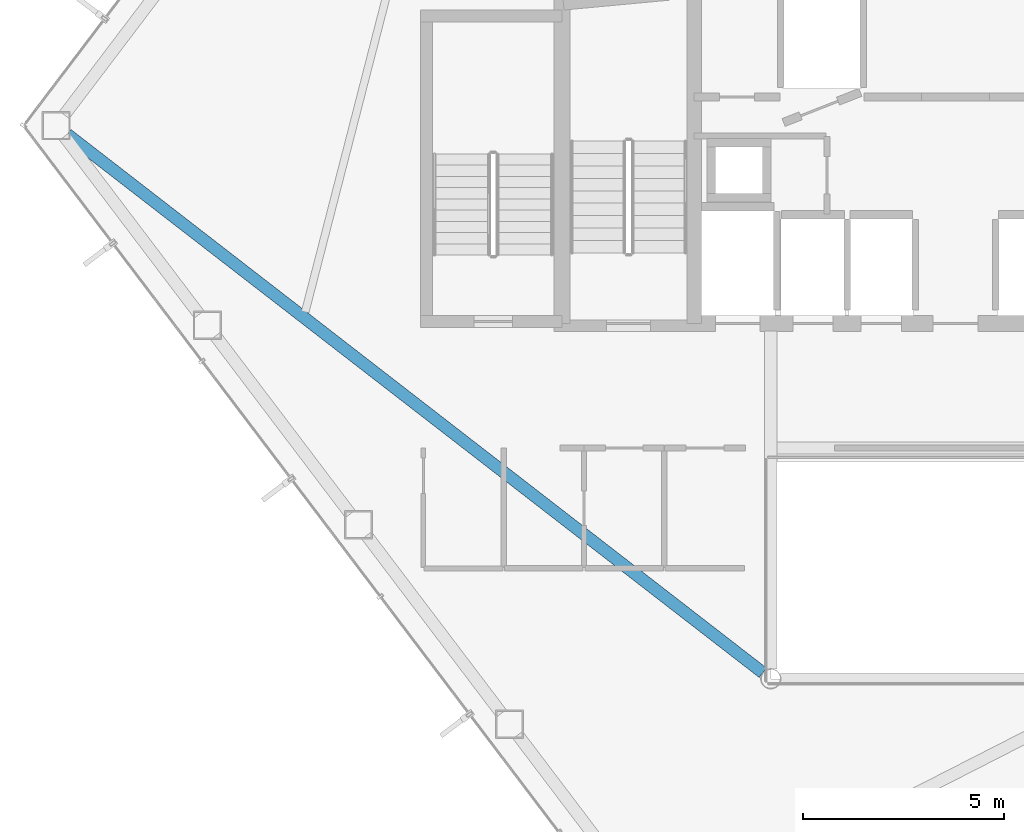
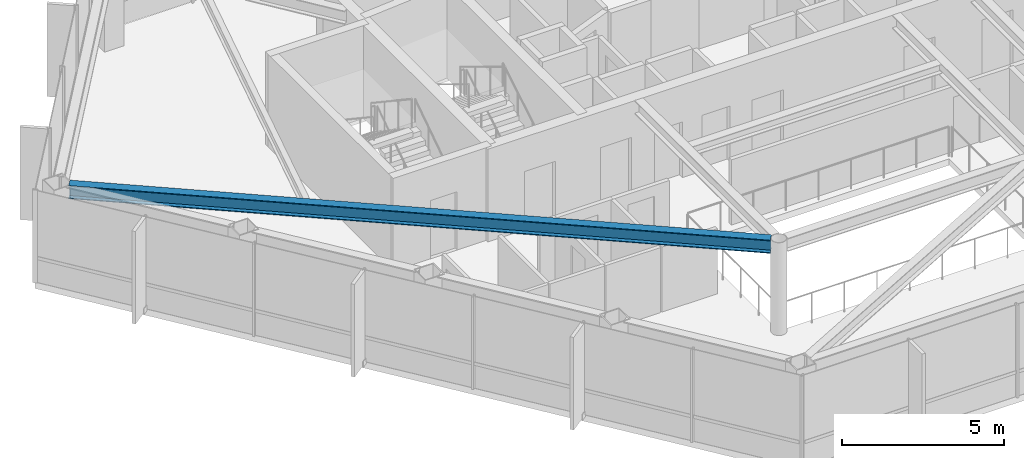
# One storey, part 5 of 28: 1 beam.
"""IFC4 building model written with IfcOpenShell, lengths in metres."""

from ifc_helpers import new_model, si_unit, direction, frame, origin, origin_2d, place, context, subcontext, project, spatial, i_section, extrude, material, material_profile, profile_set, type_object, element, save


model = new_model("IFC4")

# Units and contexts
model_context = context("Model", 3, precision=1e-05, world=origin(), true_north=direction((0.0, 1.0)))
body_context = subcontext(model_context, "Body", "Model", "MODEL_VIEW")
ifc_project = project(units=[si_unit("LENGTHUNIT", "METRE"), si_unit("AREAUNIT", "SQUARE_METRE"), si_unit("VOLUMEUNIT", "CUBIC_METRE"), si_unit("PLANEANGLEUNIT", "RADIAN"), si_unit("MASSUNIT", "GRAM", prefix="KILO")], contexts=[model_context])

# Site, building, storey
site_placement = place(None, origin())
site = spatial("IfcSite", under=ifc_project, at=site_placement, CompositionType="ELEMENT")
building_placement = place(site_placement, origin())
building = spatial("IfcBuilding", under=site, at=building_placement, Name="Zarrinselat Tower", CompositionType="ELEMENT")
storey_placement = place(building_placement, frame((0.0, 0.0, 168.300048828125)))
storey = spatial("IfcBuildingStorey", under=building, at=storey_placement, Name="L41", CompositionType="ELEMENT", Elevation=168.300048828125)

# Beam
ifc_material = material(Name="Steel S355J2", Category="steel")
ifc_material_profile = material_profile(ifc_material, i_section(OverallWidth=0.300048828125, OverallDepth=0.5, WebThickness=0.014404296875, FlangeThickness=0.028076171875, at=origin_2d()), Name="HEB 500")
ifc_profile_set = profile_set([ifc_material_profile], Name="Steel S355J2")
beam_type = type_object("IfcBeamType", Name="BM-HEB500", PredefinedType="BEAM", material=ifc_profile_set)
beam_placement = place(storey_placement, frame((16.28759765625, 37.95556640625, 3.25), z_axis=(0.790775414506, -0.612106399094, 0.0), x_axis=(0.612106399094, 0.790775414506, 0.0)))
element("IfcBeam", 1, at=beam_placement, inside=storey, type_object=beam_type, Name="L41 Radial Primary Girder RG06", PredefinedType="BEAM", context=body_context, shape_type="SweptSolid", body=[
    extrude(i_section(OverallWidth=0.300048828125, OverallDepth=0.5, WebThickness=0.014404296875, FlangeThickness=0.028076171875, at=origin_2d()), origin(), (0.0, 0.0, 1.0), 21.895751953125),
])

save(model, "model.ifc")
